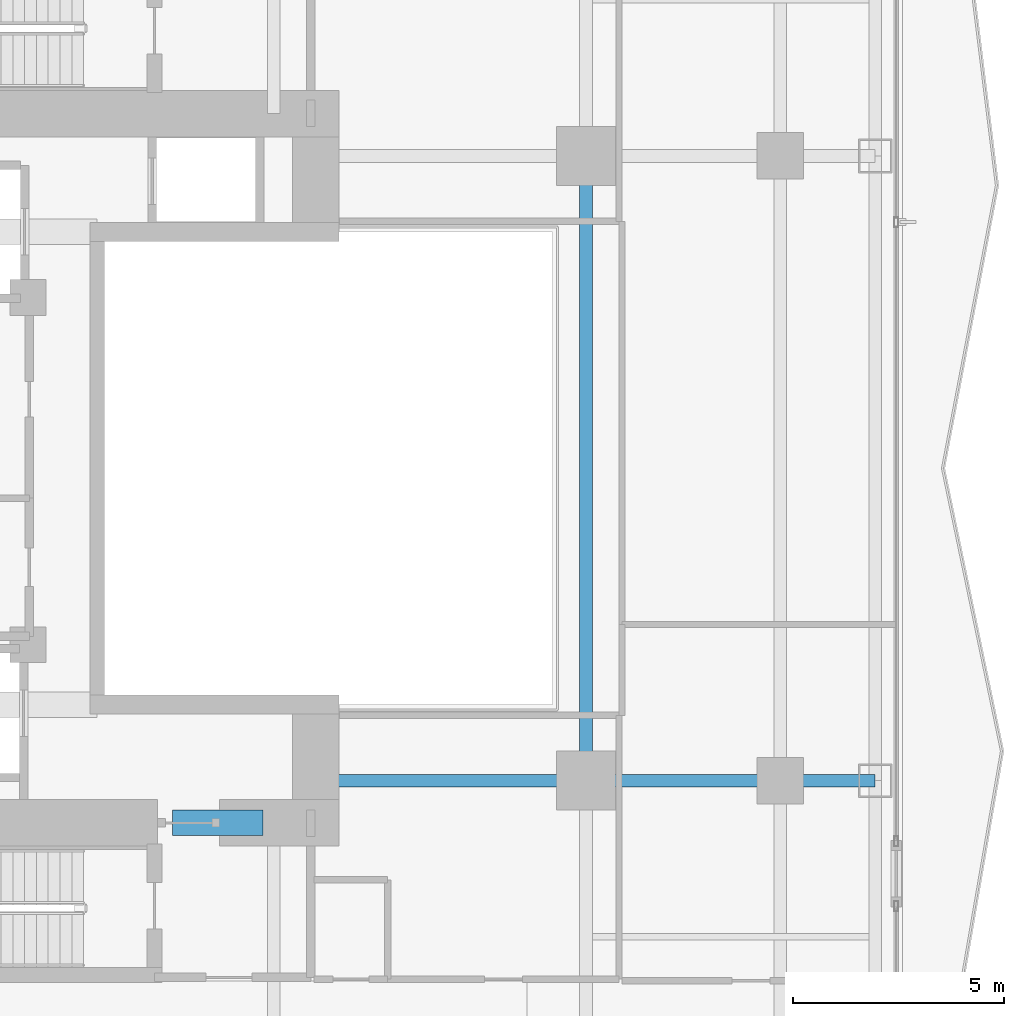
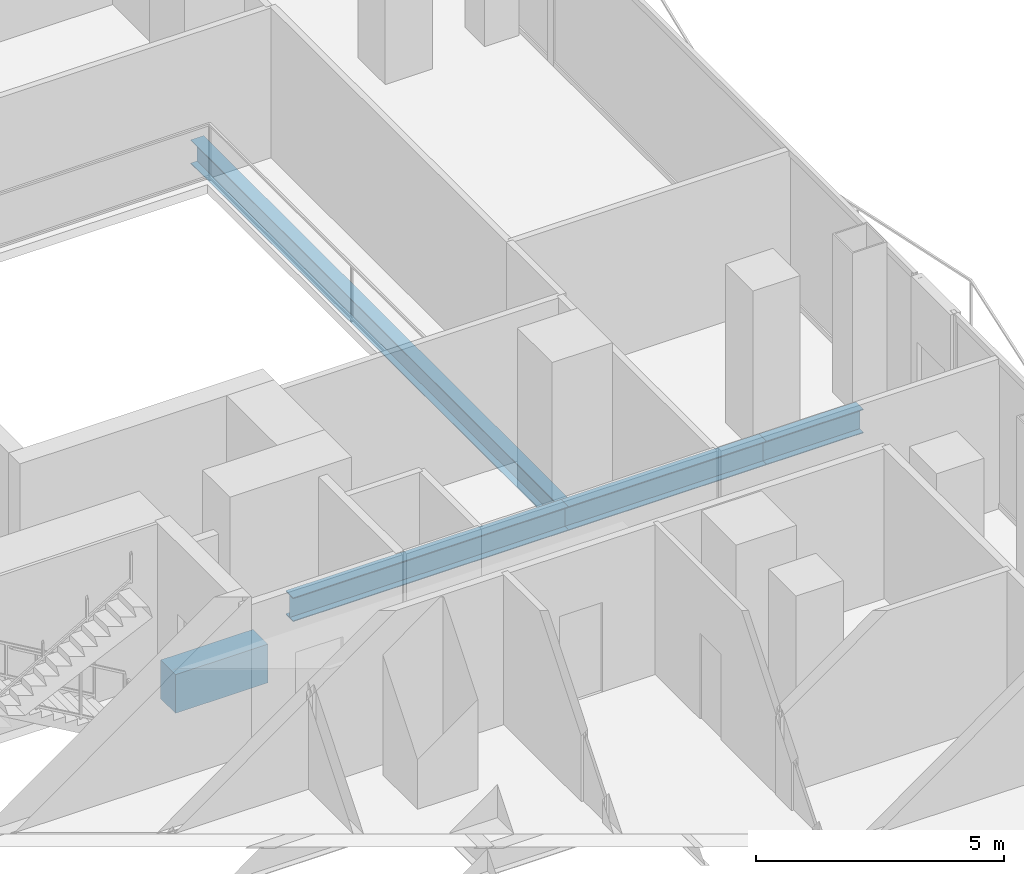
# One storey, part 11 of 30: 5 beams.
"""IFC4 building model written with IfcOpenShell, lengths in metres."""

from ifc_helpers import new_model, si_unit, direction, frame, origin, origin_2d, place, context, subcontext, project, spatial, rectangle, i_section, extrude, material, material_profile, profile_set, type_object, element, save


model = new_model("IFC4")

# Units and contexts
model_context = context("Model", 3, precision=1e-05, world=origin(), true_north=direction((0.0, 1.0)))
body_context = subcontext(model_context, "Body", "Model", "MODEL_VIEW")
ifc_project = project(units=[si_unit("LENGTHUNIT", "METRE"), si_unit("AREAUNIT", "SQUARE_METRE"), si_unit("VOLUMEUNIT", "CUBIC_METRE"), si_unit("PLANEANGLEUNIT", "RADIAN"), si_unit("MASSUNIT", "GRAM", prefix="KILO")], contexts=[model_context])

# Site, building, storey
site_placement = place(None, origin())
site = spatial("IfcSite", under=ifc_project, at=site_placement, CompositionType="ELEMENT")
building_placement = place(site_placement, origin())
building = spatial("IfcBuilding", under=site, at=building_placement, Name="Khorvyn Point Tower", CompositionType="ELEMENT")
storey_placement = place(building_placement, frame((0.0, 0.0, 57.89990234375)))
storey = spatial("IfcBuildingStorey", under=building, at=storey_placement, Name="L15", CompositionType="ELEMENT", Elevation=57.89990234375)

# Beams
ifc_material_1 = material(Name="Concrete C50/60", Category="concrete")
ifc_material_profile_1 = material_profile(ifc_material_1, rectangle(XDim=0.60009765625, YDim=0.949951171875, at=origin_2d()))
ifc_profile_set_1 = profile_set([ifc_material_profile_1], Name="Concrete C50/60 RC600x950")
beam_type_1 = type_object("IfcBeamType", Name="Concrete C50/60 Beam RC600x950", PredefinedType="BEAM", material=ifc_profile_set_1)
beam_1_placement = place(storey_placement, frame((5.0, -8.39990234375, -0.69482421875), z_axis=(1.0, 0.0, 0.0), x_axis=(0.0, 1.0, 0.0)))
element("IfcBeam", 1, at=beam_1_placement, inside=storey, type_object=beam_type_1, Name="L15 Core Southeast Portal Coupling Beam", PredefinedType="BEAM", context=body_context, shape_type="SweptSolid", body=[
    extrude(rectangle(XDim=0.60009765625, YDim=0.949951171875, at=origin_2d()), origin(), (0.0, 0.0, 1.0), 2.14990234375),
])
ifc_material_2 = material(Name="Steel S355", Category="steel")
ifc_material_profile_2 = material_profile(ifc_material_2, i_section(OverallWidth=0.300048828125, OverallDepth=0.587890625, WebThickness=0.011962890625, FlangeThickness=0.02001953125, at=origin_2d()))
ifc_profile_set_2 = profile_set([ifc_material_profile_2], Name="Steel S355 H588x300x12x20")
beam_type_2 = type_object("IfcBeamType", Name="Steel S355 Beam H588x300x12x20", PredefinedType="BEAM", material=ifc_profile_set_2)
beam_2_placement = place(storey_placement, frame((8.39990234375, -7.39990234375, -0.513916015625), z_axis=(1.0, 0.0, 0.0), x_axis=(0.0, 1.0, 0.0)))
element("IfcBeam", 2, at=beam_2_placement, inside=storey, type_object=beam_type_2, Name="Beam", PredefinedType="BEAM", context=body_context, shape_type="SweptSolid", body=[
    extrude(i_section(OverallWidth=0.300048828125, OverallDepth=0.587890625, WebThickness=0.011962890625, FlangeThickness=0.02001953125, at=origin_2d()), origin(), (0.0, 0.0, 1.0), 6.400146484375),
])
beam_3_placement = place(storey_placement, frame((14.800048828125, -7.39990234375, -0.513916015625), z_axis=(1.0, 0.0, 0.0), x_axis=(0.0, 1.0, 0.0)))
element("IfcBeam", 3, at=beam_3_placement, inside=storey, type_object=beam_type_2, Name="Beam", PredefinedType="BEAM", context=body_context, shape_type="SweptSolid", body=[
    extrude(i_section(OverallWidth=0.300048828125, OverallDepth=0.587890625, WebThickness=0.011962890625, FlangeThickness=0.02001953125, at=origin_2d()), origin(), (0.0, 0.0, 1.0), 4.599853515625),
])
beam_4_placement = place(storey_placement, frame((19.39990234375, -7.39990234375, -0.513916015625), z_axis=(1.0, 0.0, 0.0), x_axis=(0.0, 1.0, 0.0)))
element("IfcBeam", 4, at=beam_4_placement, inside=storey, type_object=beam_type_2, Name="Beam", PredefinedType="BEAM", context=body_context, shape_type="SweptSolid", body=[
    extrude(i_section(OverallWidth=0.300048828125, OverallDepth=0.587890625, WebThickness=0.011962890625, FlangeThickness=0.02001953125, at=origin_2d()), origin(), (0.0, 0.0, 1.0), 2.25),
])
beam_5_placement = place(storey_placement, frame((14.800048828125, -7.39990234375, -0.513916015625), z_axis=(0.0, 1.0, 0.0), x_axis=(-1.0, 0.0, 0.0)))
element("IfcBeam", 5, at=beam_5_placement, inside=storey, type_object=beam_type_2, Name="Beam", PredefinedType="BEAM", context=body_context, shape_type="SweptSolid", body=[
    extrude(i_section(OverallWidth=0.300048828125, OverallDepth=0.587890625, WebThickness=0.011962890625, FlangeThickness=0.02001953125, at=origin_2d()), origin(), (0.0, 0.0, 1.0), 14.7998046875),
])

save(model, "model.ifc")
